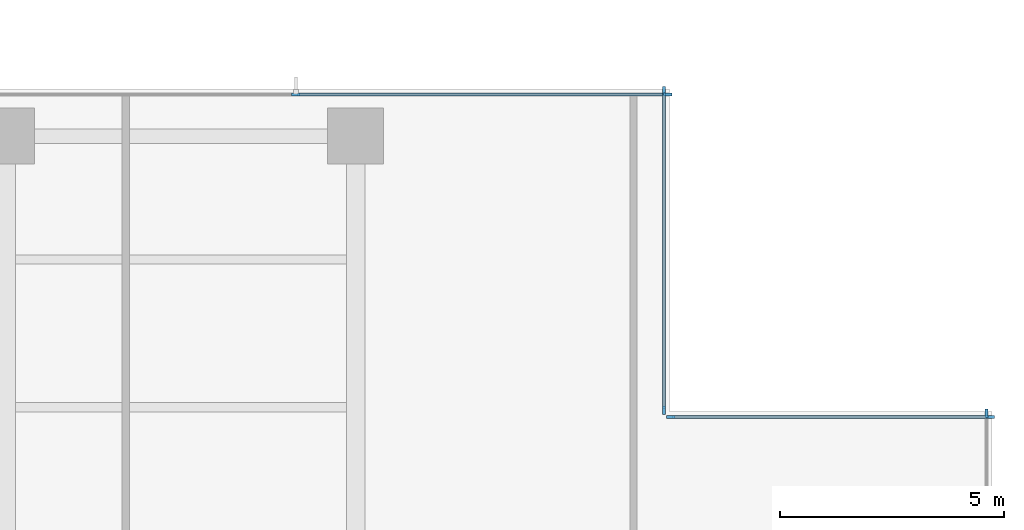
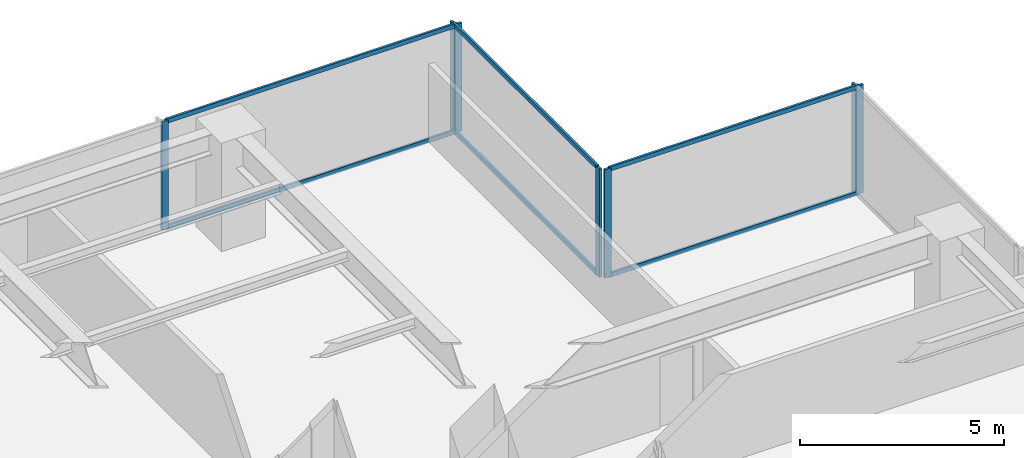
# One storey, part 6 of 17: 13 members, 4 elements without a shape of their own.
"""IFC4 building model written with IfcOpenShell, lengths in metres."""

from ifc_helpers import new_model, si_unit, direction, frame, origin, origin_2d, place, context, subcontext, project, spatial, rectangle, extrude, material, layer, layer_set, material_profile, profile_set, type_object, element, aggregate, save


model = new_model("IFC4")

# Units and contexts
model_context = context("Model", 3, precision=1e-05, world=origin(), true_north=direction((0.0, 1.0)))
body_context = subcontext(model_context, "Body", "Model", "MODEL_VIEW")
ifc_project = project(units=[si_unit("LENGTHUNIT", "METRE"), si_unit("AREAUNIT", "SQUARE_METRE"), si_unit("VOLUMEUNIT", "CUBIC_METRE"), si_unit("PLANEANGLEUNIT", "RADIAN"), si_unit("MASSUNIT", "GRAM", prefix="KILO")], contexts=[model_context])

# Site, building, storey
site_placement = place(None, origin())
site = spatial("IfcSite", under=ifc_project, at=site_placement, CompositionType="ELEMENT")
building_placement = place(site_placement, origin())
building = spatial("IfcBuilding", under=site, at=building_placement, Name="Qalmaran Belvedere Hotel", CompositionType="ELEMENT")
storey_placement = place(building_placement, frame((0.0, 0.0, 116.199951171875)))
storey = spatial("IfcBuildingStorey", under=building, at=storey_placement, Name="L29", CompositionType="ELEMENT", Elevation=116.199951171875)

# Curtain wall, member
ifc_material = material(Name="Anodised Bronze Aluminium", Category="aluminium")
ifc_layer = layer(ifc_material, 0.199951171875, Name="Anodised Bronze Aluminium")
ifc_layer_set = layer_set([ifc_layer], Name="Anodised Bronze Aluminium")
curtain_wall_type = type_object("IfcCurtainWallType", Name="CW3-TOWER-LOWMID", PredefinedType="NOTDEFINED", material=ifc_layer_set)
curtain_wall_1_placement = place(storey_placement, origin())
curtain_wall_1 = element("IfcCurtainWall", 1, at=curtain_wall_1_placement, inside=storey, type_object=curtain_wall_type, Name="L29 Curtain Wall CW3", PredefinedType="NOTDEFINED")
ifc_material_profile_1 = material_profile(ifc_material, rectangle(XDim=0.070068359375, YDim=0.18994140625, at=origin_2d()), Name="CWM70X190")
ifc_profile_set_1 = profile_set([ifc_material_profile_1], Name="Anodised Bronze Aluminium")
member_type_1 = type_object("IfcMemberType", Name="CWM-70X190", PredefinedType="MULLION", material=ifc_profile_set_1)
member_1_placement = place(storey_placement, frame((58.8798828125, 39.264892578125, 0.0), z_axis=(0.0, 0.0, 1.0), x_axis=(-1.0, 0.0, 0.0)))
member_1 = element("IfcMember", 2, at=member_1_placement, type_object=member_type_1, Name="CW3 mullion 5", PredefinedType="MULLION", context=body_context, shape_type="SweptSolid", body=[
    extrude(rectangle(XDim=0.070068359375, YDim=0.18994140625, at=origin_2d()), origin(), (0.0, 0.0, 1.0), 3.239990234375),
])
aggregate(curtain_wall_1, [member_1])

# Curtain wall, members
curtain_wall_2_placement = place(storey_placement, origin())
curtain_wall_2 = element("IfcCurtainWall", 3, at=curtain_wall_2_placement, inside=storey, type_object=curtain_wall_type, Name="L29 Curtain Wall CW3", PredefinedType="NOTDEFINED")
member_2_placement = place(storey_placement, frame((58.965087890625, 39.179931640625, 0.0), z_axis=(0.0, 0.0, 1.0), x_axis=(0.0, -1.0, 0.0)))
member_2 = element("IfcMember", 4, at=member_2_placement, type_object=member_type_1, Name="CW3 mullion 1", PredefinedType="MULLION", context=body_context, shape_type="SweptSolid", body=[
    extrude(rectangle(XDim=0.070068359375, YDim=0.18994140625, at=origin_2d()), origin(), (0.0, 0.0, 1.0), 3.239990234375),
])
member_3_placement = place(storey_placement, frame((51.8349609375, 39.179931640625, 0.0), z_axis=(0.0, 0.0, 1.0), x_axis=(0.0, -1.0, 0.0)))
member_3 = element("IfcMember", 5, at=member_3_placement, type_object=member_type_1, Name="CW3 mullion 2", PredefinedType="MULLION", context=body_context, shape_type="SweptSolid", body=[
    extrude(rectangle(XDim=0.070068359375, YDim=0.18994140625, at=origin_2d()), origin(), (0.0, 0.0, 1.0), 3.239990234375),
])

curtain_wall_3_placement = place(storey_placement, origin())
curtain_wall_3 = element("IfcCurtainWall", 6, at=curtain_wall_3_placement, inside=storey, type_object=curtain_wall_type, Name="L29 Curtain Wall CW3", PredefinedType="NOTDEFINED")
member_4_placement = place(storey_placement, frame((51.679931640625, 39.3349609375, 0.0), z_axis=(0.0, 0.0, 1.0), x_axis=(-1.0, 0.0, 0.0)))
member_4 = element("IfcMember", 7, at=member_4_placement, type_object=member_type_1, Name="CW3 mullion 1", PredefinedType="MULLION", context=body_context, shape_type="SweptSolid", body=[
    extrude(rectangle(XDim=0.070068359375, YDim=0.18994140625, at=origin_2d()), origin(), (0.0, 0.0, 1.0), 3.239990234375),
])
member_5_placement = place(storey_placement, frame((51.679931640625, 46.465087890625, 0.0), z_axis=(0.0, 0.0, 1.0), x_axis=(-1.0, 0.0, 0.0)))
member_5 = element("IfcMember", 8, at=member_5_placement, type_object=member_type_1, Name="CW3 mullion 2", PredefinedType="MULLION", context=body_context, shape_type="SweptSolid", body=[
    extrude(rectangle(XDim=0.070068359375, YDim=0.18994140625, at=origin_2d()), origin(), (0.0, 0.0, 1.0), 3.239990234375),
])

curtain_wall_4_placement = place(storey_placement, origin())
curtain_wall_4 = element("IfcCurtainWall", 9, at=curtain_wall_4_placement, inside=storey, type_object=curtain_wall_type, Name="L29 Curtain Wall CW3", PredefinedType="NOTDEFINED")
member_6_placement = place(storey_placement, frame((51.764892578125, 46.3798828125, 0.0), z_axis=(0.0, 0.0, 1.0), x_axis=(0.0, -1.0, 0.0)))
member_6 = element("IfcMember", 10, at=member_6_placement, type_object=member_type_1, Name="CW3 mullion 1", PredefinedType="MULLION", context=body_context, shape_type="SweptSolid", body=[
    extrude(rectangle(XDim=0.070068359375, YDim=0.18994140625, at=origin_2d()), origin(), (0.0, 0.0, 1.0), 3.239990234375),
])
member_7_placement = place(storey_placement, frame((43.466552734375, 46.3798828125, 0.0), z_axis=(0.0, 0.0, 1.0), x_axis=(0.0, -1.0, 0.0)))
member_7 = element("IfcMember", 11, at=member_7_placement, type_object=member_type_1, Name="CW3 mullion 2", PredefinedType="MULLION", context=body_context, shape_type="SweptSolid", body=[
    extrude(rectangle(XDim=0.070068359375, YDim=0.18994140625, at=origin_2d()), origin(), (0.0, 0.0, 1.0), 3.239990234375),
])

# Member
ifc_material_profile_2 = material_profile(ifc_material, rectangle(XDim=0.06494140625, YDim=0.1298828125, at=origin_2d()), Name="CWT65X130")
ifc_profile_set_2 = profile_set([ifc_material_profile_2], Name="Anodised Bronze Aluminium")
member_type_2 = type_object("IfcMemberType", Name="CWT-65X130", PredefinedType="USERDEFINED", material=ifc_profile_set_2)
member_8_placement = place(storey_placement, frame((58.929931640625, 39.179931640625, 0.032470703125), z_axis=(-1.0, 0.0, 0.0), x_axis=(0.0, -1.0, 0.0)))
member_8 = element("IfcMember", 12, at=member_8_placement, type_object=member_type_2, Name="CW3 transom 1.1", ObjectType="TRANSOM", PredefinedType="USERDEFINED", context=body_context, shape_type="SweptSolid", body=[
    extrude(rectangle(XDim=0.06494140625, YDim=0.1298828125, at=origin_2d()), origin(), (0.0, 0.0, 1.0), 7.059814453125),
])

member_9_placement = place(storey_placement, frame((58.929931640625, 39.179931640625, 3.20751953125), z_axis=(-1.0, 0.0, 0.0), x_axis=(0.0, -1.0, 0.0)))
member_9 = element("IfcMember", 13, at=member_9_placement, type_object=member_type_2, Name="CW3 transom 1.2", ObjectType="TRANSOM", PredefinedType="USERDEFINED", context=body_context, shape_type="SweptSolid", body=[
    extrude(rectangle(XDim=0.06494140625, YDim=0.1298828125, at=origin_2d()), origin(), (0.0, 0.0, 1.0), 7.059814453125),
])

aggregate(curtain_wall_2, [member_2, member_3, member_8, member_9])

member_10_placement = place(storey_placement, frame((51.679931640625, 39.3701171875, 0.032470703125), z_axis=(0.0, 1.0, 0.0), x_axis=(-1.0, 0.0, 0.0)))
member_10 = element("IfcMember", 14, at=member_10_placement, type_object=member_type_2, Name="CW3 transom 1.1", ObjectType="TRANSOM", PredefinedType="USERDEFINED", context=body_context, shape_type="SweptSolid", body=[
    extrude(rectangle(XDim=0.06494140625, YDim=0.1298828125, at=origin_2d()), origin(), (0.0, 0.0, 1.0), 7.059814453125),
])

member_11_placement = place(storey_placement, frame((51.679931640625, 39.3701171875, 3.20751953125), z_axis=(0.0, 1.0, 0.0), x_axis=(-1.0, 0.0, 0.0)))
member_11 = element("IfcMember", 15, at=member_11_placement, type_object=member_type_2, Name="CW3 transom 1.2", ObjectType="TRANSOM", PredefinedType="USERDEFINED", context=body_context, shape_type="SweptSolid", body=[
    extrude(rectangle(XDim=0.06494140625, YDim=0.1298828125, at=origin_2d()), origin(), (0.0, 0.0, 1.0), 7.059814453125),
])

aggregate(curtain_wall_3, [member_4, member_5, member_10, member_11])

member_12_placement = place(storey_placement, frame((51.72998046875, 46.3798828125, 0.032470703125), z_axis=(-1.0, 0.0, 0.0), x_axis=(0.0, -1.0, 0.0)))
member_12 = element("IfcMember", 16, at=member_12_placement, type_object=member_type_2, Name="CW3 transom 1.1", ObjectType="TRANSOM", PredefinedType="USERDEFINED", context=body_context, shape_type="SweptSolid", body=[
    extrude(rectangle(XDim=0.06494140625, YDim=0.1298828125, at=origin_2d()), origin(), (0.0, 0.0, 1.0), 8.228271484375),
])

member_13_placement = place(storey_placement, frame((51.72998046875, 46.3798828125, 3.20751953125), z_axis=(-1.0, 0.0, 0.0), x_axis=(0.0, -1.0, 0.0)))
member_13 = element("IfcMember", 17, at=member_13_placement, type_object=member_type_2, Name="CW3 transom 1.2", ObjectType="TRANSOM", PredefinedType="USERDEFINED", context=body_context, shape_type="SweptSolid", body=[
    extrude(rectangle(XDim=0.06494140625, YDim=0.1298828125, at=origin_2d()), origin(), (0.0, 0.0, 1.0), 8.228271484375),
])

aggregate(curtain_wall_4, [member_6, member_7, member_12, member_13])

save(model, "model.ifc")
